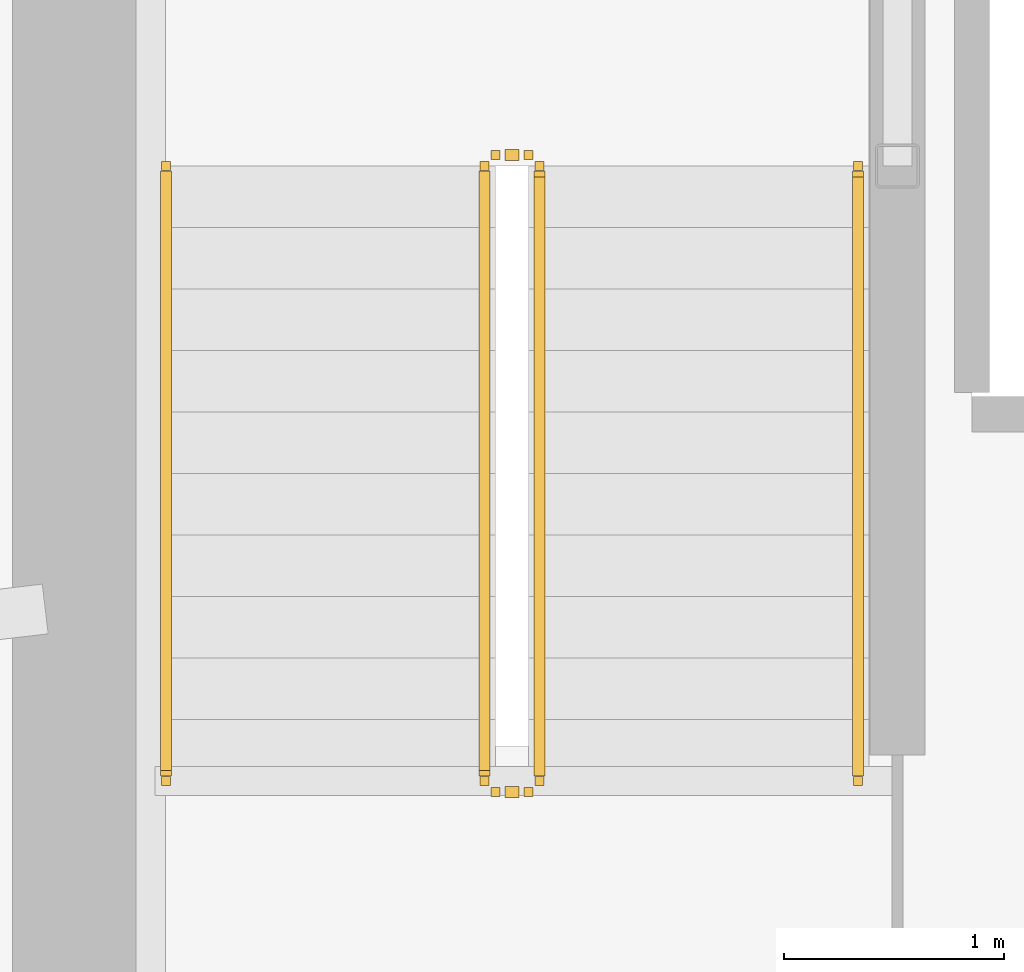
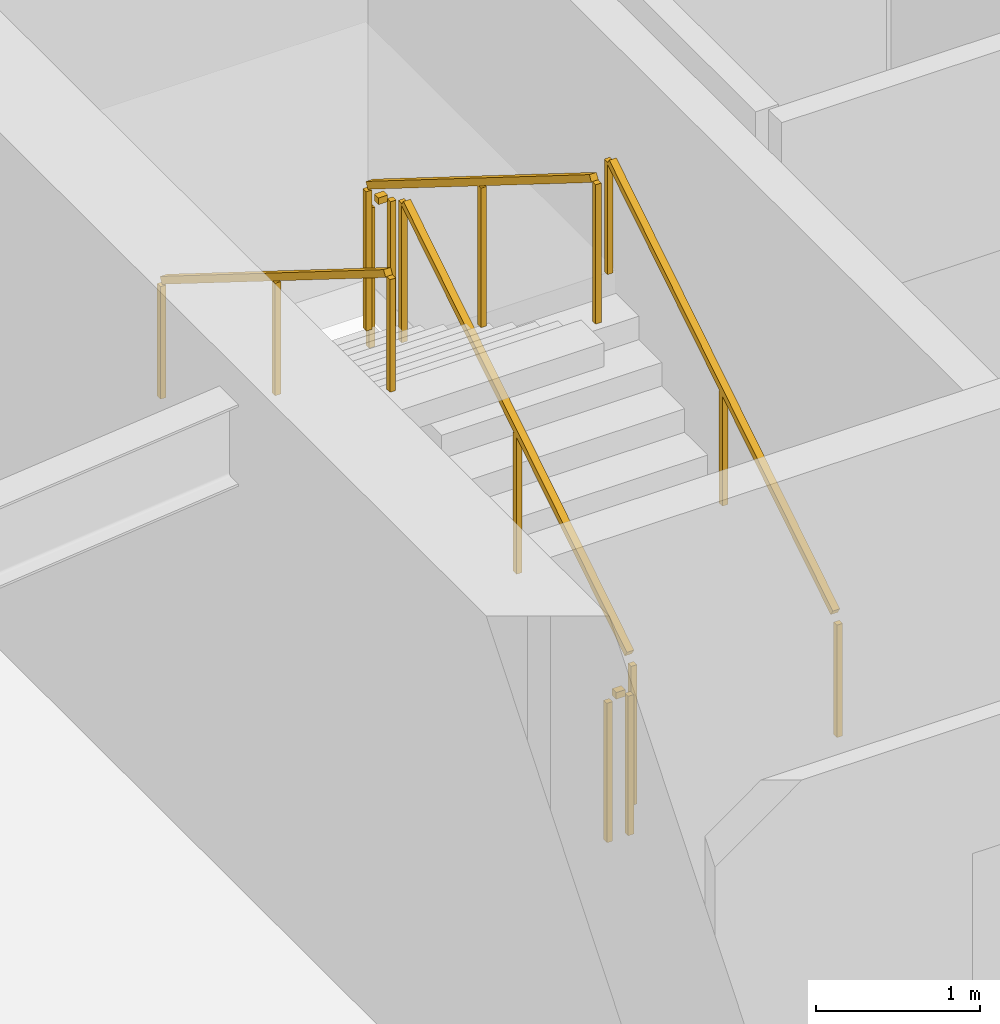
# One storey, part 24 of 29: 6 railings.
"""IFC4 building model written with IfcOpenShell, lengths in metres."""

import ifcopenshell
import ifcopenshell.guid

model = None  # the IFC model being written
_history = None  # IfcOwnerHistory: only IFC2X3 demands one
_inside = {}  # id of a spatial element -> (the spatial element, [elements in it])
_under = {}  # id of a project, library or spatial element -> (it, [spatial elements below it])
_declared = {}  # id of a project -> (the project, [libraries it declares])
_typed = {}  # id of a type object -> (the type object, [elements of that type])
_made_of = {}  # id of a material, layer set ... -> (it, [elements and type objects made of it])


def new_model(schema):
    """Start an empty IFC model of exactly this schema.

    Asked for "IFC4X3", IfcOpenShell would pick the latest addendum, in which some entities
    have other attributes; the version numbers below select the first issue.
    IFC2X3 requires an IfcOwnerHistory on every rooted entity: one is made here for all.
    """
    global model, _history
    if schema == "IFC4X3":
        model = ifcopenshell.file(schema_version=(4, 3, 0, 0))
    else:
        model = ifcopenshell.file(schema=schema)
    _inside.clear()
    _under.clear()
    _declared.clear()
    _typed.clear()
    _made_of.clear()
    _history = None
    if model.schema == "IFC2X3":
        org = make("IfcOrganization", Name="unknown")
        user = make(
            "IfcPersonAndOrganization",
            ThePerson=make("IfcPerson", FamilyName="unknown"),
            TheOrganization=org,
        )
        app = make(
            "IfcApplication",
            ApplicationDeveloper=org,
            Version="unknown",
            ApplicationFullName="unknown",
            ApplicationIdentifier="unknown",
        )
        _history = make(
            "IfcOwnerHistory",
            OwningUser=user,
            OwningApplication=app,
            ChangeAction="ADDED",
            CreationDate=0,
        )
    return model


def make(cls, **values):
    """One entity of the class cls with the attributes given. An attribute that is None is left unset."""
    return model.create_entity(
        cls, **{name: value for name, value in values.items() if value is not None}
    )


def rooted(cls, **values):
    """An entity with a GlobalId (a new one), such as an element, a storey or a relation."""
    return make(cls, GlobalId=ifcopenshell.guid.new(), OwnerHistory=_history, **values)


def si_unit(unit_type, name, prefix=None):
    """IfcSIUnit, for example si_unit("LENGTHUNIT", "METRE", prefix="MILLI")."""
    return make("IfcSIUnit", UnitType=unit_type, Prefix=prefix, Name=name)


def assignment(units):
    """IfcUnitAssignment: the units of a project."""
    return None if units is None else make("IfcUnitAssignment", Units=units)


def point(xyz):
    """IfcCartesianPoint."""
    return None if xyz is None else make("IfcCartesianPoint", Coordinates=xyz)


def direction(xyz):
    """IfcDirection."""
    return None if xyz is None else make("IfcDirection", DirectionRatios=xyz)


def frame(location, z_axis=None, x_axis=None):
    """IfcAxis2Placement3D, a coordinate frame: its origin and axes. An axis left out is left unset."""
    return make(
        "IfcAxis2Placement3D",
        Location=point(location),
        Axis=direction(z_axis),
        RefDirection=direction(x_axis),
    )


def frame_2d(location, x_axis=None):
    """IfcAxis2Placement2D, a coordinate frame in the plane: its origin and x axis."""
    return make(
        "IfcAxis2Placement2D", Location=point(location), RefDirection=direction(x_axis)
    )


def origin():
    """The frame at (0, 0, 0) with its axes left unset."""
    return frame((0.0, 0.0, 0.0))


def origin_2d():
    """The frame at (0, 0) in the plane with its x axis left unset."""
    return frame_2d((0.0, 0.0))


def place(relative_to, where):
    """IfcLocalPlacement: puts the frame where relative to a parent placement (None: the world)."""
    return make(
        "IfcLocalPlacement", PlacementRelTo=relative_to, RelativePlacement=where
    )


def context(
    kind, dimensions, precision=None, world=None, true_north=None, identifier=None
):
    """IfcGeometricRepresentationContext, for example the 3D "Model" context."""
    return make(
        "IfcGeometricRepresentationContext",
        ContextIdentifier=identifier,
        ContextType=kind,
        CoordinateSpaceDimension=dimensions,
        Precision=precision,
        WorldCoordinateSystem=world,
        TrueNorth=true_north,
    )


def subcontext(parent, identifier, kind, view, scale=None):
    """IfcGeometricRepresentationSubContext, for example "Body" below "Model"."""
    return make(
        "IfcGeometricRepresentationSubContext",
        ContextIdentifier=identifier,
        ContextType=kind,
        ParentContext=parent,
        TargetScale=scale,
        TargetView=view,
    )


def project(units=None, contexts=None):
    """IfcProject with its units and contexts."""
    return rooted(
        "IfcProject",
        Name="project",
        RepresentationContexts=contexts,
        UnitsInContext=assignment(units),
    )


def spatial(cls, under=None, at=None, **own):
    """A site, building, storey or space (cls), placed at a placement, below another one or the project."""
    s = rooted(cls, ObjectPlacement=at, **own)
    if under is not None:
        _under.setdefault(under.id(), (under, []))[1].append(s)
    return s


def profile(cls, at=None, kind="AREA", **sizes):
    """A parametric profile (cls). Its sizes go by their IFC names, for example OverallWidth=200.0."""
    return make(cls, ProfileType=kind, Position=at, **sizes)


def rectangle(**sizes):
    """IfcRectangleProfileDef."""
    return profile("IfcRectangleProfileDef", **sizes)


def extrude(swept, where, along, depth):
    """IfcExtrudedAreaSolid: the profile swept, set in the frame where, extruded along a direction by depth."""
    return make(
        "IfcExtrudedAreaSolid",
        SweptArea=swept,
        Position=where,
        ExtrudedDirection=direction(along),
        Depth=depth,
    )


def shape(context_of_items, identifier, shape_type, items):
    """IfcShapeRepresentation: the items that make up one representation, for example the "Body"."""
    return make(
        "IfcShapeRepresentation",
        ContextOfItems=context_of_items,
        RepresentationIdentifier=identifier,
        RepresentationType=shape_type,
        Items=items,
    )


def material(Name=None, Category=None):
    """IfcMaterial."""
    return make("IfcMaterial", Name=Name, Category=Category)


def made_of(thing, what):
    """Note that an element or type object is made of a material, layer set ...; save() writes the relation."""
    if what is not None:
        _made_of.setdefault(what.id(), (what, []))[1].append(thing)
    return thing


def type_object(cls, material=None, **own):
    """A type object (cls), such as IfcWallType, which elements share."""
    return made_of(rooted(cls, **own), material)


def element(
    cls,
    number,
    at=None,
    inside=None,
    cuts=None,
    type_object=None,
    material=None,
    context=None,
    identifier="Body",
    shape_type=None,
    held_by="IfcProductDefinitionShape",
    body=None,
    shapes=None,
    **own,
):
    """One element of the class cls, such as IfcWall. Its Tag is "e" and its number.

    at: its placement. inside: the storey or other place that contains it. cuts: it is an
    opening in that element (IfcRelVoidsElement). A single representation is given by context,
    identifier, shape_type and body (its items); several are given by shapes. held_by: the class
    of the entity that holds the representations. save() writes the other relations.
    """
    e = rooted(cls, Tag="e%d" % number, ObjectPlacement=at, **own)
    if body is not None:
        shapes = [shape(context, identifier, shape_type, body)]
    if shapes is not None:
        e.Representation = make(held_by, Representations=shapes)
    if inside is not None:
        _inside.setdefault(inside.id(), (inside, []))[1].append(e)
    if cuts is not None:
        rooted(
            "IfcRelVoidsElement", RelatingBuildingElement=cuts, RelatedOpeningElement=e
        )
    if type_object is not None:
        _typed.setdefault(type_object.id(), (type_object, []))[1].append(e)
    return made_of(e, material)


def aggregate(whole, parts):
    """IfcRelAggregates: a whole, such as a stair, and the parts it consists of."""
    return rooted("IfcRelAggregates", RelatingObject=whole, RelatedObjects=parts)


def save(model, path):
    """Write the relations noted so far, then the file.

    IfcRelAggregates (storeys below a building ...), IfcRelContainedInSpatialStructure (elements
    in a storey), IfcRelDefinesByType, IfcRelAssociatesMaterial and IfcRelDeclares: one each for
    every whole, place, type object, material and project.
    """
    for whole, parts in _under.values():
        aggregate(whole, parts)
    for where, things in _inside.values():
        rooted(
            "IfcRelContainedInSpatialStructure",
            RelatedElements=things,
            RelatingStructure=where,
        )
    for kind, things in _typed.values():
        rooted("IfcRelDefinesByType", RelatedObjects=things, RelatingType=kind)
    for what, things in _made_of.values():
        rooted("IfcRelAssociatesMaterial", RelatedObjects=things, RelatingMaterial=what)
    for by, libraries in _declared.values():
        rooted("IfcRelDeclares", RelatingContext=by, RelatedDefinitions=libraries)
    model.write(path)


model = new_model("IFC4")

# Units and contexts
model_context = context("Model", 3, precision=1e-05, world=origin(), true_north=direction((0.0, 1.0)))
body_context = subcontext(model_context, "Body", "Model", "MODEL_VIEW")
ifc_project = project(units=[si_unit("LENGTHUNIT", "METRE"), si_unit("AREAUNIT", "SQUARE_METRE"), si_unit("VOLUMEUNIT", "CUBIC_METRE"), si_unit("PLANEANGLEUNIT", "RADIAN"), si_unit("MASSUNIT", "GRAM", prefix="KILO")], contexts=[model_context])

# Site, building, storey
site_placement = place(None, origin())
site = spatial("IfcSite", under=ifc_project, at=site_placement, CompositionType="ELEMENT")
building_placement = place(site_placement, origin())
building = spatial("IfcBuilding", under=site, at=building_placement, Name="Kazma Halo Residences", CompositionType="ELEMENT")
storey_placement = place(building_placement, frame((0.0, 0.0, 252.10009765625)))
storey = spatial("IfcBuildingStorey", under=building, at=storey_placement, Name="L63", CompositionType="ELEMENT", Elevation=252.10009765625)

# Railings
ifc_material_1 = material(Name="Painted Steel S355", Category="steel")
railing_type_1 = type_object("IfcRailingType", Name="RLG-STAIR-GRD-1100", PredefinedType="GUARDRAIL", material=ifc_material_1)
railing_1_placement = place(storey_placement, frame((39.550048828125, 39.949951171875, 0.1748046875)))
element("IfcRailing", 1, at=railing_1_placement, inside=storey, type_object=railing_type_1, Name="L63 ST-01 stair guard 1", PredefinedType="GUARDRAIL", context=body_context, shape_type="SweptSolid", body=[
    extrude(rectangle(XDim=0.050048828125, YDim=0.050048828125, at=origin_2d()), frame((0.0, 0.0361328125, 1.09765625), z_axis=(0.0, 0.848002457836, 0.529992293815), x_axis=(-1.0, 0.0, 0.0)), (0.0, 0.0, 1.0), 3.216796875),
    extrude(rectangle(XDim=0.0400390625, YDim=0.0400390625, at=origin_2d()), origin(), (0.0, 0.0, 1.0), 1.0380859375),
    extrude(rectangle(XDim=0.0400390625, YDim=0.0400390625, at=origin_2d()), frame((0.0, 1.39990234375, 0.875)), (0.0, 0.0, 1.0), 1.0380859375),
    extrude(rectangle(XDim=0.0400390625, YDim=0.0400390625, at=origin_2d()), frame((0.0, 2.800048828125, 1.75)), (0.0, 0.0, 1.0), 1.0380859375),
])
railing_2_placement = place(storey_placement, frame((39.5, 42.800048828125, 1.9248046875)))
element("IfcRailing", 2, at=railing_2_placement, inside=storey, type_object=railing_type_1, Name="L63 ST-01 stair guard 2", PredefinedType="GUARDRAIL", context=body_context, shape_type="SweptSolid", body=[
    extrude(rectangle(XDim=0.050048828125, YDim=0.050048828125, at=origin_2d()), frame((-0.04248046875, 0.0, 1.0751953125), z_axis=(-1.0, 0.0, 0.0), x_axis=(0.0, -1.0, 0.0)), (0.0, 0.0, 1.0), 0.06494140625),
    extrude(rectangle(XDim=0.0400390625, YDim=0.0400390625, at=origin_2d()), origin(), (0.0, 0.0, 1.0), 1.0380859375),
    extrude(rectangle(XDim=0.0400390625, YDim=0.0400390625, at=origin_2d()), frame((-0.14990234375, 0.0, 0.0)), (0.0, 0.0, 1.0), 1.0380859375),
])
railing_3_placement = place(storey_placement, frame((39.300048828125, 42.75, 2.099853515625)))
element("IfcRailing", 3, at=railing_3_placement, inside=storey, type_object=railing_type_1, Name="L63 ST-01 stair guard 3", PredefinedType="GUARDRAIL", context=body_context, shape_type="SweptSolid", body=[
    extrude(rectangle(XDim=0.050048828125, YDim=0.050048828125, at=origin_2d()), frame((0.0, -0.0361328125, 1.09765625), z_axis=(0.0, -0.848002457836, 0.529992293815), x_axis=(1.0, 0.0, 0.0)), (0.0, 0.0, 1.0), 3.216796875),
    extrude(rectangle(XDim=0.0400390625, YDim=0.0400390625, at=origin_2d()), origin(), (0.0, 0.0, 1.0), 1.0380859375),
    extrude(rectangle(XDim=0.0400390625, YDim=0.0400390625, at=origin_2d()), frame((0.0, -1.39990234375, 0.875)), (0.0, 0.0, 1.0), 1.0380859375),
    extrude(rectangle(XDim=0.0400390625, YDim=0.0400390625, at=origin_2d()), frame((0.0, -2.800048828125, 1.75)), (0.0, 0.0, 1.0), 1.0380859375),
])
railing_4_placement = place(storey_placement, frame((39.5, 39.89990234375, 0.0)))
element("IfcRailing", 4, at=railing_4_placement, inside=storey, type_object=railing_type_1, Name="L63 ST-01 stair guard 4", PredefinedType="GUARDRAIL", context=body_context, shape_type="SweptSolid", body=[
    extrude(rectangle(XDim=0.050048828125, YDim=0.050048828125, at=origin_2d()), frame((-0.04248046875, 0.0, 1.0751953125), z_axis=(-1.0, 0.0, 0.0), x_axis=(0.0, -1.0, 0.0)), (0.0, 0.0, 1.0), 0.06494140625),
    extrude(rectangle(XDim=0.0400390625, YDim=0.0400390625, at=origin_2d()), origin(), (0.0, 0.0, 1.0), 1.0380859375),
    extrude(rectangle(XDim=0.0400390625, YDim=0.0400390625, at=origin_2d()), frame((-0.14990234375, 0.0, 0.0)), (0.0, 0.0, 1.0), 1.0380859375),
])
ifc_material_2 = material(Name="Brushed Stainless Steel", Category="steel")
railing_type_2 = type_object("IfcRailingType", Name="RLG-STAIR-HND-900", PredefinedType="HANDRAIL", material=ifc_material_2)
railing_5_placement = place(storey_placement, frame((41.0, 39.949951171875, 0.1748046875)))
element("IfcRailing", 5, at=railing_5_placement, inside=storey, type_object=railing_type_2, Name="L63 ST-01 stair handrail 1", PredefinedType="HANDRAIL", context=body_context, shape_type="SweptSolid", body=[
    extrude(rectangle(XDim=0.050048828125, YDim=0.050048828125, at=origin_2d()), frame((0.0, 0.0361328125, 0.8974609375), z_axis=(0.0, 0.848002457836, 0.529992293815), x_axis=(-1.0, 0.0, 0.0)), (0.0, 0.0, 1.0), 3.216796875),
    extrude(rectangle(XDim=0.0400390625, YDim=0.0400390625, at=origin_2d()), origin(), (0.0, 0.0, 1.0), 0.837890625),
    extrude(rectangle(XDim=0.0400390625, YDim=0.0400390625, at=origin_2d()), frame((0.0, 1.39990234375, 0.875)), (0.0, 0.0, 1.0), 0.837890625),
    extrude(rectangle(XDim=0.0400390625, YDim=0.0400390625, at=origin_2d()), frame((0.0, 2.800048828125, 1.75)), (0.0, 0.0, 1.0), 0.837890625),
])
railing_6_placement = place(storey_placement, frame((37.85009765625, 42.75, 2.099853515625)))
element("IfcRailing", 6, at=railing_6_placement, inside=storey, type_object=railing_type_2, Name="L63 ST-01 stair handrail 2", PredefinedType="HANDRAIL", context=body_context, shape_type="SweptSolid", body=[
    extrude(rectangle(XDim=0.050048828125, YDim=0.050048828125, at=origin_2d()), frame((0.0, -0.0361328125, 0.8974609375), z_axis=(0.0, -0.848002457836, 0.529992293815), x_axis=(1.0, 0.0, 0.0)), (0.0, 0.0, 1.0), 3.216796875),
    extrude(rectangle(XDim=0.0400390625, YDim=0.0400390625, at=origin_2d()), origin(), (0.0, 0.0, 1.0), 0.837890625),
    extrude(rectangle(XDim=0.0400390625, YDim=0.0400390625, at=origin_2d()), frame((0.0, -1.39990234375, 0.875)), (0.0, 0.0, 1.0), 0.837890625),
    extrude(rectangle(XDim=0.0400390625, YDim=0.0400390625, at=origin_2d()), frame((0.0, -2.800048828125, 1.75)), (0.0, 0.0, 1.0), 0.837890625),
])

save(model, "model.ifc")
